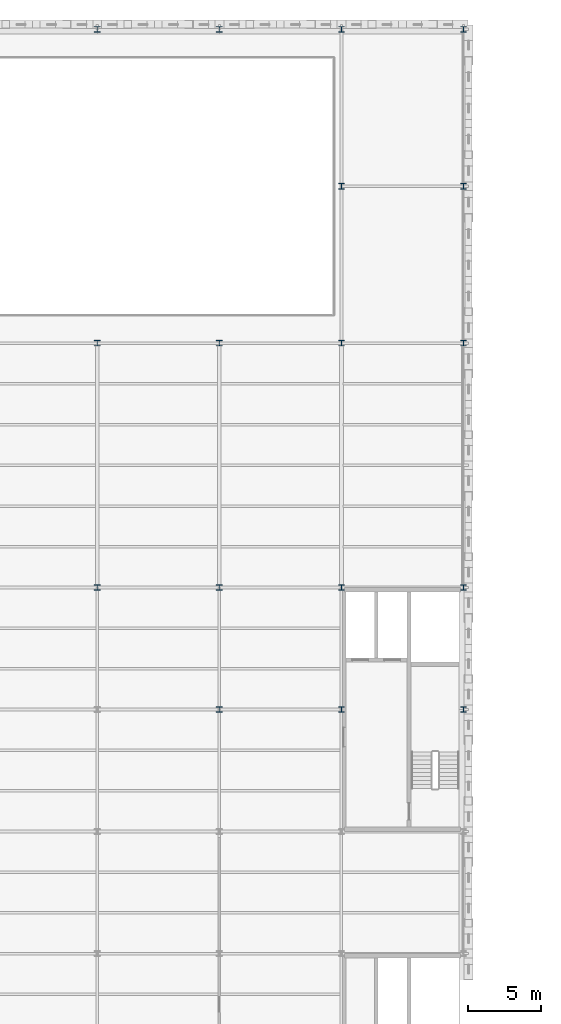
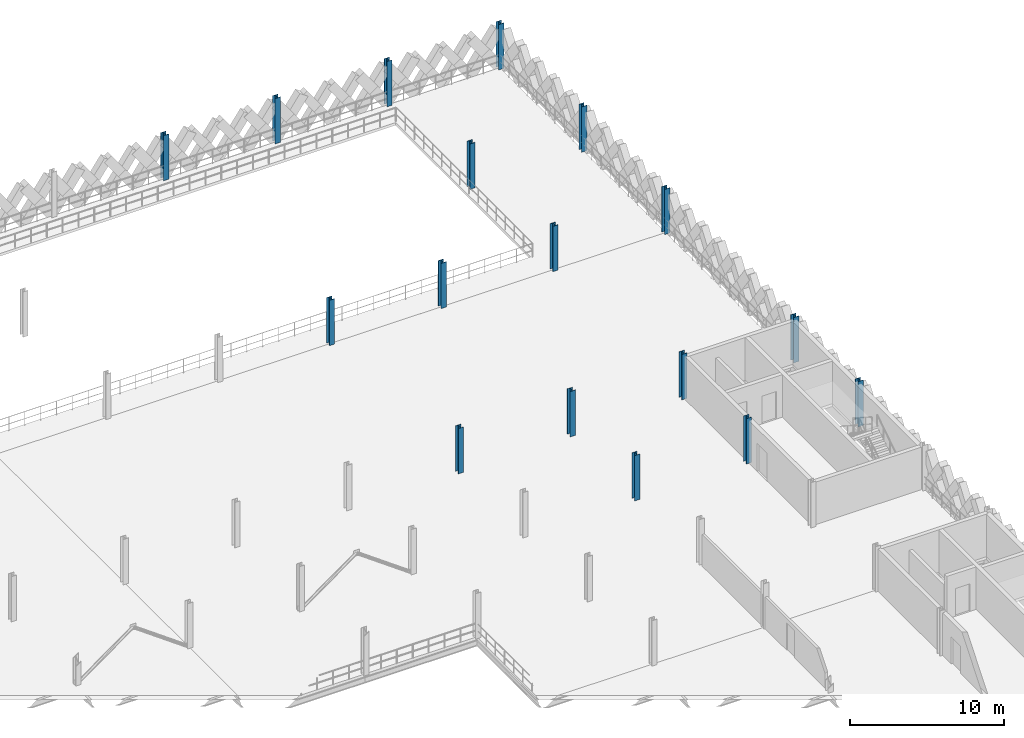
# One storey, part 13 of 79: 17 columns.
"""IFC4 building model written with IfcOpenShell, lengths in metres."""

from ifc_helpers import new_model, si_unit, direction, frame, origin, origin_2d, place, context, subcontext, project, spatial, i_section, extrude, material, material_profile, profile_set, type_object, element, save


model = new_model("IFC4")

# Units and contexts
model_context = context("Model", 3, precision=1e-05, world=origin(), true_north=direction((0.0, 1.0)))
body_context = subcontext(model_context, "Body", "Model", "MODEL_VIEW")
ifc_project = project(units=[si_unit("LENGTHUNIT", "METRE"), si_unit("AREAUNIT", "SQUARE_METRE"), si_unit("VOLUMEUNIT", "CUBIC_METRE"), si_unit("PLANEANGLEUNIT", "RADIAN"), si_unit("MASSUNIT", "GRAM", prefix="KILO"), si_unit("THERMODYNAMICTEMPERATUREUNIT", "KELVIN"), si_unit("POWERUNIT", "WATT")], contexts=[model_context])

# Site, building, storey
site_placement = place(None, origin())
site = spatial("IfcSite", under=ifc_project, at=site_placement, CompositionType="ELEMENT")
building_placement = place(site_placement, origin())
building = spatial("IfcBuilding", under=site, at=building_placement, Name="Tembeka Court Mobility Hub", CompositionType="ELEMENT")
storey_placement = place(building_placement, frame((0.0, 0.0, 9.0)))
storey = spatial("IfcBuildingStorey", under=building, at=storey_placement, Name="L02", CompositionType="ELEMENT", Elevation=9.0)

# Columns
ifc_material = material(Name="Steel S355", Category="steel")
ifc_material_profile = material_profile(ifc_material, i_section(OverallWidth=0.39501953125, OverallDepth=0.381103515625, WebThickness=0.018310546875, FlangeThickness=0.0302734375, FilletRadius=0.01513671875, at=origin_2d()), Name="UKC 356x406x235")
ifc_profile_set = profile_set([ifc_material_profile], Name="Steel S355")
column_type = type_object("IfcColumnType", Name="COL-C02", PredefinedType="COLUMN", material=ifc_profile_set)
for number, where, z_axis, x_axis, name in (
    (1, (67.199951171875, 80.39990234375, 0.0), (0.0, 0.0, 1.0), (1.0, 0.0, 0.0), "Column C02 (L02-100)"),
    (2, (67.199951171875, 97.199951171875, 0.0), (0.0, 0.0, 1.0), (1.0, 0.0, 0.0), "Column C02 (L02-101)"),
    (3, (67.199951171875, 118.800048828125, 0.0), (0.0, 0.0, 1.0), (1.0, 0.0, 0.0), "Column C02 (L02-102)"),
    (4, (75.60009765625, 72.0, 0.0), (0.0, 0.0, 1.0), (1.0, 0.0, 0.0), "Column C02 (L02-109)"),
    (5, (75.60009765625, 80.39990234375, 0.0), (0.0, 0.0, 1.0), (1.0, 0.0, 0.0), "Column C02 (L02-110)"),
    (6, (75.60009765625, 97.199951171875, 0.0), (0.0, 0.0, 1.0), (1.0, 0.0, 0.0), "Column C02 (L02-111)"),
    (7, (75.60009765625, 118.800048828125, 0.0), (0.0, 0.0, 1.0), (1.0, 0.0, 0.0), "Column C02 (L02-112)"),
    (8, (84.0, 72.0, 0.0), (0.0, 0.0, 1.0), (1.0, 0.0, 0.0), "Column C02 (L02-120)"),
    (9, (84.0, 80.39990234375, 0.0), (0.0, 0.0, 1.0), (1.0, 0.0, 0.0), "Column C02 (L02-121)"),
    (10, (84.0, 97.199951171875, 0.0), (0.0, 0.0, 1.0), (1.0, 0.0, 0.0), "Column C02 (L02-122)"),
    (11, (84.0, 108.0, 0.0), (0.0, 0.0, 1.0), (1.0, 0.0, 0.0), "Column C02 (L02-123)"),
    (12, (84.0, 118.800048828125, 0.0), (0.0, 0.0, 1.0), (1.0, 0.0, 0.0), "Column C02 (L02-124)"),
    (13, (92.39990234375, 72.0, 0.0), (0.0, 0.0, 1.0), (1.0, 0.0, 0.0), "Column C02 (L02-132)"),
    (14, (92.39990234375, 80.39990234375, 0.0), (0.0, 0.0, 1.0), (1.0, 0.0, 0.0), "Column C02 (L02-133)"),
    (15, (92.39990234375, 97.199951171875, 0.0), (0.0, 0.0, 1.0), (1.0, 0.0, 0.0), "Column C02 (L02-134)"),
    (16, (92.39990234375, 108.0, 0.0), (0.0, 0.0, 1.0), (1.0, 0.0, 0.0), "Column C02 (L02-135)"),
    (17, (92.39990234375, 118.800048828125, 0.0), (0.0, 0.0, 1.0), (1.0, 0.0, 0.0), "Column C02 (L02-136)"),
):
    element("IfcColumn", number, at=place(storey_placement, frame(where, z_axis=z_axis, x_axis=x_axis)), inside=storey, type_object=column_type, Name=name, PredefinedType="COLUMN", context=body_context, shape_type="SweptSolid", body=[
        extrude(i_section(OverallWidth=0.39501953125, OverallDepth=0.381103515625, WebThickness=0.018310546875, FlangeThickness=0.0302734375, FilletRadius=0.01513671875, at=origin_2d()), origin(), (0.0, 0.0, 1.0), 3.60009765625),
    ])

save(model, "model.ifc")
